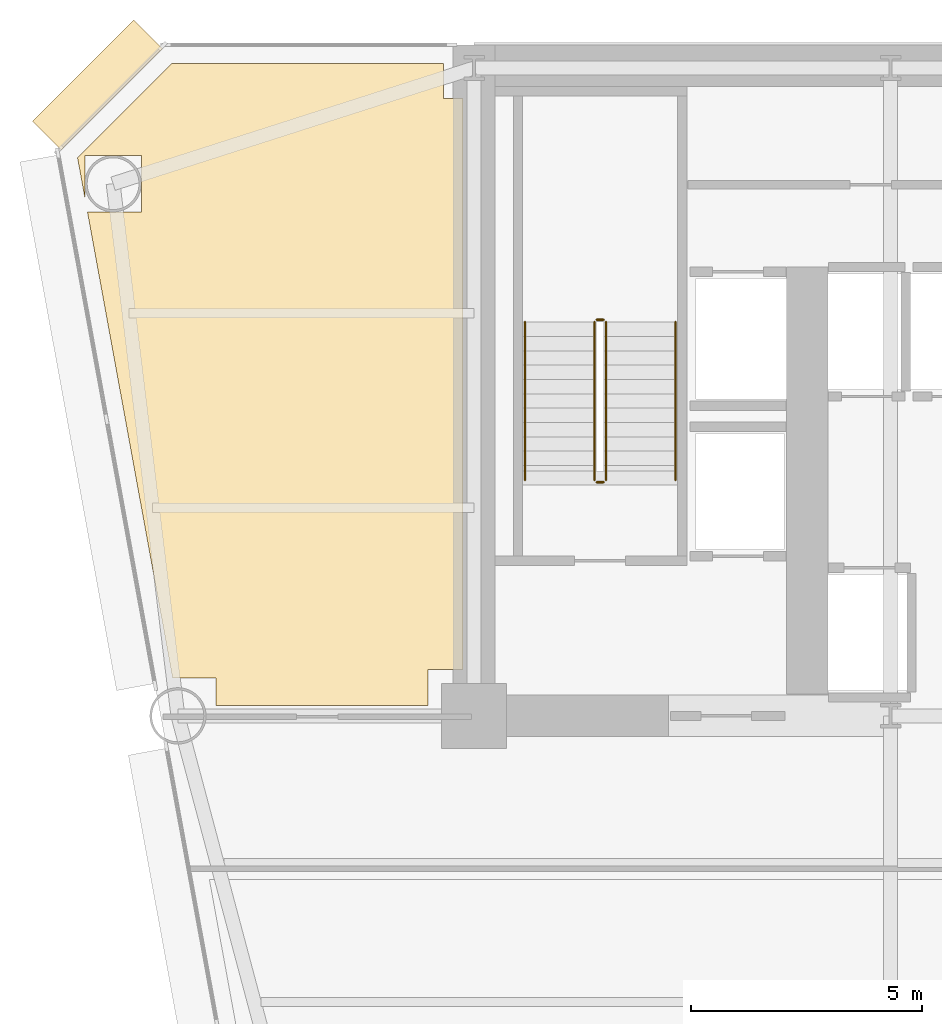
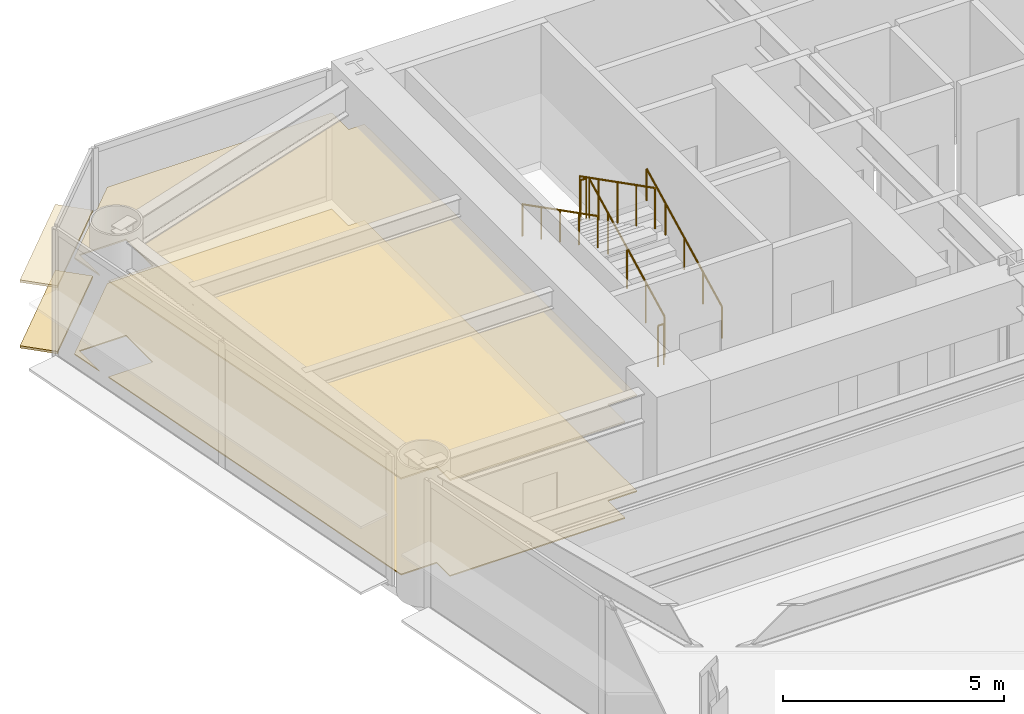
# One storey, part 12 of 14: 6 railings, 4 coverings.
"""IFC4 building model written with IfcOpenShell, lengths in metres."""

from ifc_helpers import new_model, si_unit, direction, frame, origin, origin_2d, place, context, subcontext, project, spatial, polyline, rectangle, circle, outline, extrude, source, transform, mapped, material, layer, layer_set, type_object, element, save


model = new_model("IFC4")

# Units and contexts
model_context = context("Model", 3, precision=1e-05, world=origin(), true_north=direction((0.0, 1.0)))
body_context = subcontext(model_context, "Body", "Model", "MODEL_VIEW")
ifc_project = project(units=[si_unit("LENGTHUNIT", "METRE"), si_unit("AREAUNIT", "SQUARE_METRE"), si_unit("VOLUMEUNIT", "CUBIC_METRE"), si_unit("PLANEANGLEUNIT", "RADIAN"), si_unit("MASSUNIT", "GRAM", prefix="KILO")], contexts=[model_context])

# Site, building, storey
site_placement = place(None, origin())
site = spatial("IfcSite", under=ifc_project, at=site_placement, CompositionType="ELEMENT")
building_placement = place(site_placement, origin())
building = spatial("IfcBuilding", under=site, at=building_placement, Name="Vaeldorn Concourse Tower", CompositionType="ELEMENT")
storey_placement = place(building_placement, frame((0.0, 0.0, 72.0)))
storey = spatial("IfcBuildingStorey", under=building, at=storey_placement, Name="L18", CompositionType="ELEMENT", Elevation=72.0)

# Coverings
ifc_material_1 = material(Name="Acoustic Mineral Fibre Board", Category="gypsum")
ifc_layer_1 = layer(ifc_material_1, 0.0400390625)
ifc_layer_set_1 = layer_set([ifc_layer_1], Name="Acoustic Mineral Fibre Board")
covering_type_1 = type_object("IfcCoveringType", Name="COV-CEIL-ACOUSTIC", PredefinedType="CEILING", material=ifc_layer_set_1)
covering_1_placement = place(storey_placement, frame((0.0, 0.0, 2.64990234375)))
element("IfcCovering", 1, at=covering_1_placement, inside=storey, type_object=covering_type_1, Name="Suspended Acoustic Ceiling L18-3", PredefinedType="CEILING", context=body_context, shape_type="SweptSolid", body=[
    extrude(outline(polyline([(7.4658203125, 50.60009765625), (13.340087890625, 50.60009765625), (13.340087890625, 49.840087890625), (13.760009765625, 49.840087890625), (13.760009765625, 37.5), (13.0, 37.5), (13.0, 36.719970703125), (8.419921875, 36.719970703125), (8.419921875, 37.320068359375), (7.48486328125, 37.320068359375), (5.645751953125, 47.390380859375), (6.8095703125, 47.390380859375), (6.8095703125, 48.609619140625), (5.590576171875, 48.609619140625), (5.590576171875, 47.69287109375), (5.43115234375, 48.5654296875), (7.4658203125, 50.60009765625)])), origin(), (0.0, 0.0, 1.0), 0.0400390625),
])
ifc_material_2 = material(Name="Honed Limestone Terrazzo Flooring", Category="masonry")
ifc_layer_2 = layer(ifc_material_2, 0.0400390625)
ifc_layer_set_2 = layer_set([ifc_layer_2], Name="Honed Limestone Terrazzo Flooring")
covering_type_2 = type_object("IfcCoveringType", Name="COV-FLOOR-STONE", PredefinedType="FLOORING", material=ifc_layer_set_2)
covering_2_placement = place(storey_placement, origin())
element("IfcCovering", 2, at=covering_2_placement, inside=storey, type_object=covering_type_2, Name="Floor Finish Covering L18-3", PredefinedType="FLOORING", context=body_context, shape_type="SweptSolid", body=[
    extrude(outline(polyline([(7.4658203125, 50.60009765625), (13.340087890625, 50.60009765625), (13.340087890625, 49.840087890625), (13.760009765625, 49.840087890625), (13.760009765625, 37.5), (13.0, 37.5), (13.0, 36.719970703125), (8.419921875, 36.719970703125), (8.419921875, 37.320068359375), (7.48486328125, 37.320068359375), (5.645751953125, 47.390380859375), (6.8095703125, 47.390380859375), (6.8095703125, 48.609619140625), (5.590576171875, 48.609619140625), (5.590576171875, 47.69287109375), (5.43115234375, 48.5654296875), (7.4658203125, 50.60009765625)])), origin(), (0.0, 0.0, 1.0), 0.030029296875),
])

# Railings
ifc_material_3 = material(Name="Anodised Bronze Aluminium", Category="aluminium")
railing_type_1 = type_object("IfcRailingType", Name="RL-STAIR-GUARD", PredefinedType="GUARDRAIL", material=ifc_material_3)
railing_1_placement = place(storey_placement, frame((16.85009765625, 41.60009765625, 0.158447265625)))
element("IfcRailing", 3, at=railing_1_placement, inside=storey, type_object=railing_type_1, Name="L18 ST-1 stair guard 1", PredefinedType="GUARDRAIL", context=body_context, shape_type="SweptSolid", body=[
    extrude(circle(Radius=0.02392578125, at=origin_2d()), frame((0.0, 0.0, 1.1259765625), z_axis=(0.0, 0.890581635807, 0.454823427236), x_axis=(-1.0, 0.0, 0.0)), (0.0, 0.0, 1.0), 3.828857421875),
    extrude(circle(Radius=0.02099609375, at=origin_2d()), origin(), (0.0, 0.0, 1.0), 1.101806640625),
    extrude(circle(Radius=0.02099609375, at=origin_2d()), frame((0.0, 0.8525390625, 0.435302734375)), (0.0, 0.0, 1.0), 1.101806640625),
    extrude(circle(Radius=0.02099609375, at=origin_2d()), frame((0.0, 1.705078125, 0.87060546875)), (0.0, 0.0, 1.0), 1.101806640625),
    extrude(circle(Radius=0.02099609375, at=origin_2d()), frame((0.0, 2.557373046875, 1.30615234375)), (0.0, 0.0, 1.0), 1.101806640625),
    extrude(circle(Radius=0.02099609375, at=origin_2d()), frame((0.0, 3.409912109375, 1.741455078125)), (0.0, 0.0, 1.0), 1.101806640625),
])
railing_2_placement = place(storey_placement, frame((16.800048828125, 45.06005859375, 1.89990234375)))
element("IfcRailing", 4, at=railing_2_placement, inside=storey, type_object=railing_type_1, Name="L18 ST-1 stair guard 2", PredefinedType="GUARDRAIL", context=body_context, shape_type="SweptSolid", body=[
    extrude(circle(Radius=0.02392578125, at=origin_2d()), frame((0.0, 0.0, 1.1259765625), z_axis=(-1.0, 0.0, 0.0), x_axis=(0.0, -1.0, 0.0)), (0.0, 0.0, 1.0), 0.150146484375),
    extrude(circle(Radius=0.02099609375, at=origin_2d()), origin(), (0.0, 0.0, 1.0), 1.101806640625),
    extrude(circle(Radius=0.02099609375, at=origin_2d()), frame((-0.150146484375, 0.0, 0.0)), (0.0, 0.0, 1.0), 1.101806640625),
])
railing_3_placement = place(storey_placement, frame((16.60009765625, 45.010009765625, 2.058349609375)))
element("IfcRailing", 5, at=railing_3_placement, inside=storey, type_object=railing_type_1, Name="L18 ST-1 stair guard 3", PredefinedType="GUARDRAIL", context=body_context, shape_type="SweptSolid", body=[
    extrude(circle(Radius=0.02392578125, at=origin_2d()), frame((0.0, 0.0, 1.1259765625), z_axis=(0.0, -0.890555807335, 0.454873997962), x_axis=(1.0, 0.0, 0.0)), (0.0, 0.0, 1.0), 3.828857421875),
    extrude(circle(Radius=0.02099609375, at=origin_2d()), origin(), (0.0, 0.0, 1.0), 1.101806640625),
    extrude(circle(Radius=0.02099609375, at=origin_2d()), frame((0.0, -0.8525390625, 0.435546875)), (0.0, 0.0, 1.0), 1.101806640625),
    extrude(circle(Radius=0.02099609375, at=origin_2d()), frame((0.0, -1.705078125, 0.870849609375)), (0.0, 0.0, 1.0), 1.101806640625),
    extrude(circle(Radius=0.02099609375, at=origin_2d()), frame((0.0, -2.557373046875, 1.30615234375)), (0.0, 0.0, 1.0), 1.101806640625),
    extrude(circle(Radius=0.02099609375, at=origin_2d()), frame((0.0, -3.409912109375, 1.74169921875)), (0.0, 0.0, 1.0), 1.101806640625),
])
railing_4_placement = place(storey_placement, frame((16.800048828125, 41.550048828125, 0.0)))
element("IfcRailing", 6, at=railing_4_placement, inside=storey, type_object=railing_type_1, Name="L18 ST-1 stair guard 4", PredefinedType="GUARDRAIL", context=body_context, shape_type="SweptSolid", body=[
    extrude(circle(Radius=0.02392578125, at=origin_2d()), frame((0.0, 0.0, 1.1259765625), z_axis=(-1.0, 0.0, 0.0), x_axis=(0.0, -1.0, 0.0)), (0.0, 0.0, 1.0), 0.150146484375),
    extrude(circle(Radius=0.02099609375, at=origin_2d()), origin(), (0.0, 0.0, 1.0), 1.101806640625),
    extrude(circle(Radius=0.02099609375, at=origin_2d()), frame((-0.150146484375, 0.0, 0.0)), (0.0, 0.0, 1.0), 1.101806640625),
])
railing_type_2 = type_object("IfcRailingType", Name="RL-STAIR-HANDRAIL", PredefinedType="HANDRAIL", material=ifc_material_3)
railing_5_placement = place(storey_placement, frame((18.35009765625, 41.60009765625, 0.158447265625)))
element("IfcRailing", 7, at=railing_5_placement, inside=storey, type_object=railing_type_2, Name="L18 ST-1 stair handrail 1", PredefinedType="HANDRAIL", context=body_context, shape_type="SweptSolid", body=[
    extrude(circle(Radius=0.02392578125, at=origin_2d()), frame((0.0, 0.0, 0.8759765625), z_axis=(0.0, 0.890581635807, 0.454823427236), x_axis=(-1.0, 0.0, 0.0)), (0.0, 0.0, 1.0), 3.828857421875),
    extrude(circle(Radius=0.02099609375, at=origin_2d()), origin(), (0.0, 0.0, 1.0), 0.851806640625),
    extrude(circle(Radius=0.02099609375, at=origin_2d()), frame((0.0, 0.8525390625, 0.435302734375)), (0.0, 0.0, 1.0), 0.851806640625),
    extrude(circle(Radius=0.02099609375, at=origin_2d()), frame((0.0, 1.705078125, 0.87060546875)), (0.0, 0.0, 1.0), 0.851806640625),
    extrude(circle(Radius=0.02099609375, at=origin_2d()), frame((0.0, 2.557373046875, 1.30615234375)), (0.0, 0.0, 1.0), 0.851806640625),
    extrude(circle(Radius=0.02099609375, at=origin_2d()), frame((0.0, 3.409912109375, 1.741455078125)), (0.0, 0.0, 1.0), 0.851806640625),
])
railing_6_placement = place(storey_placement, frame((15.10009765625, 45.010009765625, 2.058349609375)))
element("IfcRailing", 8, at=railing_6_placement, inside=storey, type_object=railing_type_2, Name="L18 ST-1 stair handrail 2", PredefinedType="HANDRAIL", context=body_context, shape_type="SweptSolid", body=[
    extrude(circle(Radius=0.02392578125, at=origin_2d()), frame((0.0, 0.0, 0.8759765625), z_axis=(0.0, -0.890555807335, 0.454873997962), x_axis=(1.0, 0.0, 0.0)), (0.0, 0.0, 1.0), 3.828857421875),
    extrude(circle(Radius=0.02099609375, at=origin_2d()), origin(), (0.0, 0.0, 1.0), 0.851806640625),
    extrude(circle(Radius=0.02099609375, at=origin_2d()), frame((0.0, -0.8525390625, 0.435546875)), (0.0, 0.0, 1.0), 0.851806640625),
    extrude(circle(Radius=0.02099609375, at=origin_2d()), frame((0.0, -1.705078125, 0.870849609375)), (0.0, 0.0, 1.0), 0.851806640625),
    extrude(circle(Radius=0.02099609375, at=origin_2d()), frame((0.0, -2.557373046875, 1.30615234375)), (0.0, 0.0, 1.0), 0.851806640625),
    extrude(circle(Radius=0.02099609375, at=origin_2d()), frame((0.0, -3.409912109375, 1.74169921875)), (0.0, 0.0, 1.0), 0.851806640625),
])

# Coverings
ifc_layer_3 = layer(ifc_material_3, 0.06494140625)
ifc_layer_set_3 = layer_set([ifc_layer_3], Name="Anodised Bronze Aluminium")
covering_type_3 = type_object("IfcCoveringType", Name="SD-BRONZE-SUNSHADE", PredefinedType="USERDEFINED", material=ifc_layer_set_3)
shared_shape = source(origin(), body_context, "Body", "SweptSolid", [
    extrude(rectangle(XDim=3.0927734375, YDim=0.8798828125, at=origin_2d()), origin(), (0.0, 0.0, 1.0), 0.06494140625),
])
for number, where, z_axis, x_axis, name in (
    (9, (5.8671875, 50.1328125, 0.047607421875), (0.0, 0.0, 1.0), (-0.707106781187, -0.707106781187, 0.0), "Horizontal Bronze Sunshade L18-E10.1.1"),
    (10, (5.8671875, 50.1328125, 1.867431640625), (0.0, 0.0, 1.0), (-0.707106781187, -0.707106781187, 0.0), "Horizontal Bronze Sunshade L18-E10.1.2"),
):
    element("IfcCovering", number, at=place(storey_placement, frame(where, z_axis=z_axis, x_axis=x_axis)), inside=storey, type_object=covering_type_3, Name=name, ObjectType="SUNSHADE", PredefinedType="USERDEFINED", context=body_context, shape_type="MappedRepresentation", body=[
        mapped(shared_shape, transform((0.0, 0.0, 0.0), scale=1.0)),
    ])

save(model, "model.ifc")
